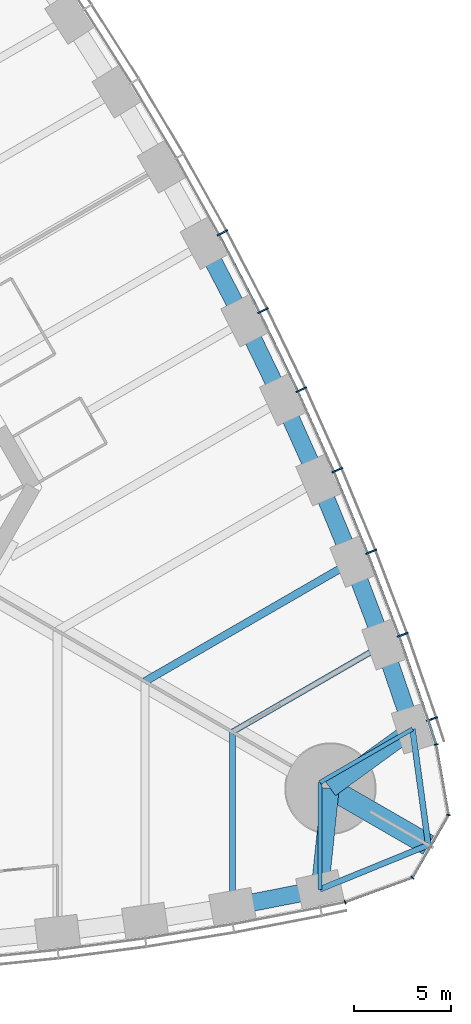
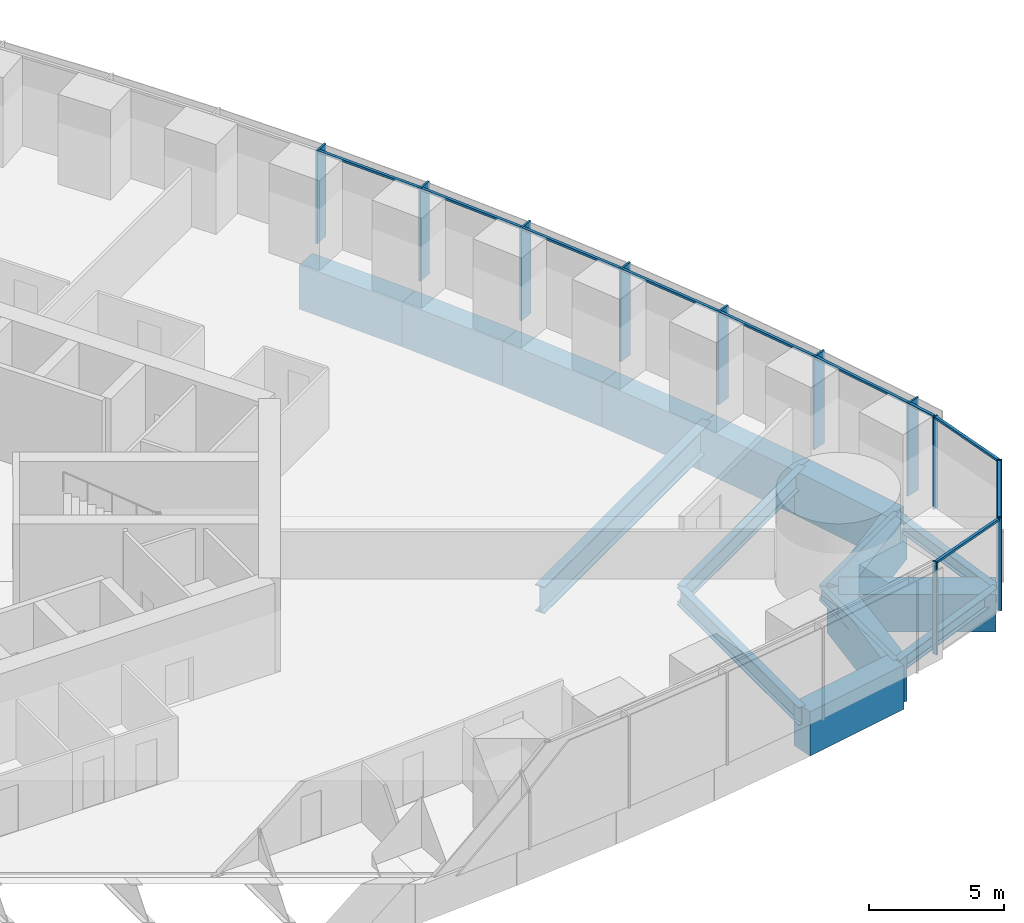
# One storey, part 6 of 18: 21 members, 17 beams, 2 elements without a shape of their own.
"""IFC4 building model written with IfcOpenShell, lengths in metres."""

from ifc_helpers import new_model, si_unit, direction, frame, origin, origin_2d, place, context, subcontext, project, spatial, rectangle, i_section, extrude, material, material_profile, profile_set, type_object, element, aggregate, save


model = new_model("IFC4")

# Units and contexts
model_context = context("Model", 3, precision=1e-05, world=origin(), true_north=direction((0.0, 1.0)))
body_context = subcontext(model_context, "Body", "Model", "MODEL_VIEW")
ifc_project = project(units=[si_unit("LENGTHUNIT", "METRE"), si_unit("AREAUNIT", "SQUARE_METRE"), si_unit("VOLUMEUNIT", "CUBIC_METRE"), si_unit("PLANEANGLEUNIT", "RADIAN"), si_unit("MASSUNIT", "GRAM", prefix="KILO")], contexts=[model_context])

# Site, building, storey
site_placement = place(None, origin())
site = spatial("IfcSite", under=ifc_project, at=site_placement, CompositionType="ELEMENT")
building_placement = place(site_placement, origin())
building = spatial("IfcBuilding", under=site, at=building_placement, Name="Trefoil Bronze Tower", CompositionType="ELEMENT")
storey_placement = place(building_placement, frame((0.0, 0.0, 71.10009765625)))
storey = spatial("IfcBuildingStorey", under=building, at=storey_placement, Name="L16", CompositionType="ELEMENT", Elevation=71.10009765625)

# Curtain wall, members
ifc_material_1 = material(Name="Tinted solar-control glass", Category="glass")
curtain_wall_type_1 = type_object("IfcCurtainWallType", Name="Bronze office curtain wall", PredefinedType="USERDEFINED", material=ifc_material_1)
curtain_wall_1_placement = place(storey_placement, origin())
curtain_wall_1 = element("IfcCurtainWall", 1, at=curtain_wall_1_placement, inside=storey, type_object=curtain_wall_type_1, Name="CW-A L16 F2", ObjectType="CURTAIN WALL", PredefinedType="USERDEFINED")
ifc_material_2 = material(Name="Bronze-finish aluminium", Category="aluminium")
ifc_material_profile_1 = material_profile(ifc_material_2, rectangle(XDim=0.60009765625, YDim=0.080078125, at=origin_2d()), Name="CW-A mullion")
ifc_profile_set_1 = profile_set([ifc_material_profile_1], Name="Bronze-finish aluminium")
member_type_1 = type_object("IfcMemberType", Name="Bronze office curtain wall mullion", PredefinedType="MULLION", material=ifc_profile_set_1)
member_1_placement = place(storey_placement, frame((37.265869140625, -14.92626953125, 0.0), z_axis=(0.0, 0.0, 1.0), x_axis=(-0.947850592929, -0.318715003543, 0.0)))
member_1 = element("IfcMember", 2, at=member_1_placement, type_object=member_type_1, Name="CW-A L16 F2 mullion 2", PredefinedType="MULLION", context=body_context, shape_type="SweptSolid", body=[
    extrude(rectangle(XDim=0.60009765625, YDim=0.080078125, at=origin_2d()), origin(), (0.0, 0.0, 1.0), 4.179931640625),
])
member_2_placement = place(storey_placement, frame((35.761962890625, -10.590087890625, 0.0), z_axis=(0.0, 0.0, 1.0), x_axis=(-0.939860248316, -0.341559238839, 0.0)))
member_2 = element("IfcMember", 3, at=member_2_placement, type_object=member_type_1, Name="CW-A L16 F2 mullion 3", PredefinedType="MULLION", context=body_context, shape_type="SweptSolid", body=[
    extrude(rectangle(XDim=0.60009765625, YDim=0.080078125, at=origin_2d()), origin(), (0.0, 0.0, 1.0), 4.179931640625),
])
member_3_placement = place(storey_placement, frame((34.138916015625, -6.32080078125, 0.0), z_axis=(0.0, 0.0, 1.0), x_axis=(-0.929413605838, -0.369039766534, 0.0)))
member_3 = element("IfcMember", 4, at=member_3_placement, type_object=member_type_1, Name="CW-A L16 F2 mullion 4", PredefinedType="MULLION", context=body_context, shape_type="SweptSolid", body=[
    extrude(rectangle(XDim=0.60009765625, YDim=0.080078125, at=origin_2d()), origin(), (0.0, 0.0, 1.0), 4.179931640625),
])
member_4_placement = place(storey_placement, frame((32.39892578125, -2.119384765625, 0.0), z_axis=(0.0, 0.0, 1.0), x_axis=(-0.918213748442, -0.396085233469, 0.0)))
member_4 = element("IfcMember", 5, at=member_4_placement, type_object=member_type_1, Name="CW-A L16 F2 mullion 5", PredefinedType="MULLION", context=body_context, shape_type="SweptSolid", body=[
    extrude(rectangle(XDim=0.60009765625, YDim=0.080078125, at=origin_2d()), origin(), (0.0, 0.0, 1.0), 4.179931640625),
])
member_5_placement = place(storey_placement, frame((30.543212890625, 2.015380859375, 0.0), z_axis=(0.0, 0.0, 1.0), x_axis=(-0.906269346572, -0.422700687798, 0.0)))
member_5 = element("IfcMember", 6, at=member_5_placement, type_object=member_type_1, Name="CW-A L16 F2 mullion 6", PredefinedType="MULLION", context=body_context, shape_type="SweptSolid", body=[
    extrude(rectangle(XDim=0.60009765625, YDim=0.080078125, at=origin_2d()), origin(), (0.0, 0.0, 1.0), 4.179931640625),
])
member_6_placement = place(storey_placement, frame((28.57275390625, 6.084228515625, 0.0), z_axis=(0.0, 0.0, 1.0), x_axis=(-0.893587025891, -0.448889994497, 0.0)))
member_6 = element("IfcMember", 7, at=member_6_placement, type_object=member_type_1, Name="CW-A L16 F2 mullion 7", PredefinedType="MULLION", context=body_context, shape_type="SweptSolid", body=[
    extrude(rectangle(XDim=0.60009765625, YDim=0.080078125, at=origin_2d()), origin(), (0.0, 0.0, 1.0), 4.179931640625),
])
member_7_placement = place(storey_placement, frame((26.488525390625, 10.0869140625, 0.0), z_axis=(0.0, 0.0, 1.0), x_axis=(-0.880171454588, -0.474655886437, 0.0)))
member_7 = element("IfcMember", 8, at=member_7_placement, type_object=member_type_1, Name="CW-A L16 F2 mullion 8", PredefinedType="MULLION", context=body_context, shape_type="SweptSolid", body=[
    extrude(rectangle(XDim=0.60009765625, YDim=0.080078125, at=origin_2d()), origin(), (0.0, 0.0, 1.0), 4.179931640625),
])
ifc_material_3 = material(Name="Bronze-finish aluminium", Category="aluminium")
ifc_material_profile_2 = material_profile(ifc_material_3, rectangle(XDim=0.1201171875, YDim=0.10009765625, at=origin_2d()), Name="CW-A transom")
ifc_profile_set_2 = profile_set([ifc_material_profile_2], Name="Bronze-finish aluminium")
member_type_2 = type_object("IfcMemberType", Name="Bronze office curtain wall transom", PredefinedType="USERDEFINED", material=ifc_profile_set_2)
member_8_placement = place(storey_placement, frame((37.4638671875, -16.1796875, 4.1298828125), z_axis=(-0.309624219148, 0.950859002648, 0.0), x_axis=(-0.950859002648, -0.309624219148, 0.0)))
member_8 = element("IfcMember", 9, at=member_8_placement, type_object=member_type_2, Name="CW-A L16 F2 transom 1", ObjectType="TRANSOM", PredefinedType="USERDEFINED", context=body_context, shape_type="SweptSolid", body=[
    extrude(rectangle(XDim=0.1201171875, YDim=0.10009765625, at=origin_2d()), origin(), (0.0, 0.0, 1.0), 1.21044921875),
])
member_9_placement = place(storey_placement, frame((37.06298828125, -14.951171875, 4.1298828125), z_axis=(-0.327689728493, 0.944785394595, 0.0), x_axis=(-0.944785394595, -0.327689728493, 0.0)))
member_9 = element("IfcMember", 10, at=member_9_placement, type_object=member_type_2, Name="CW-A L16 F2 transom 2", ObjectType="TRANSOM", PredefinedType="USERDEFINED", context=body_context, shape_type="SweptSolid", body=[
    extrude(rectangle(XDim=0.1201171875, YDim=0.10009765625, at=origin_2d()), origin(), (0.0, 0.0, 1.0), 4.502197265625),
])
member_10_placement = place(storey_placement, frame((35.559326171875, -10.61962890625, 4.1298828125), z_axis=(-0.355367327392, 0.934726731522, 0.0), x_axis=(-0.934726731522, -0.355367327392, 0.0)))
member_10 = element("IfcMember", 11, at=member_10_placement, type_object=member_type_2, Name="CW-A L16 F2 transom 3", ObjectType="TRANSOM", PredefinedType="USERDEFINED", context=body_context, shape_type="SweptSolid", body=[
    extrude(rectangle(XDim=0.1201171875, YDim=0.10009765625, at=origin_2d()), origin(), (0.0, 0.0, 1.0), 4.478515625),
])
member_11_placement = place(storey_placement, frame((33.937255859375, -6.3564453125, 4.1298828125), z_axis=(-0.382616149417, 0.923907399151, 0.0), x_axis=(-0.923907399151, -0.382616149417, 0.0)))
member_11 = element("IfcMember", 12, at=member_11_placement, type_object=member_type_2, Name="CW-A L16 F2 transom 4", ObjectType="TRANSOM", PredefinedType="USERDEFINED", context=body_context, shape_type="SweptSolid", body=[
    extrude(rectangle(XDim=0.1201171875, YDim=0.10009765625, at=origin_2d()), origin(), (0.0, 0.0, 1.0), 4.458984375),
])
member_12_placement = place(storey_placement, frame((32.1982421875, -2.16064453125, 4.1298828125), z_axis=(-0.409459746452, 0.912328184392, 0.0), x_axis=(-0.912328184392, -0.409459746452, 0.0)))
member_12 = element("IfcMember", 13, at=member_12_placement, type_object=member_type_2, Name="CW-A L16 F2 transom 5", ObjectType="TRANSOM", PredefinedType="USERDEFINED", context=body_context, shape_type="SweptSolid", body=[
    extrude(rectangle(XDim=0.1201171875, YDim=0.10009765625, at=origin_2d()), origin(), (0.0, 0.0, 1.0), 4.443359375),
])
member_13_placement = place(storey_placement, frame((30.34375, 1.96826171875, 4.1298828125), z_axis=(-0.435851763293, 0.900018466719, 0.0), x_axis=(-0.900018466719, -0.435851763293, 0.0)))
member_13 = element("IfcMember", 14, at=member_13_placement, type_object=member_type_2, Name="CW-A L16 F2 transom 6", ObjectType="TRANSOM", PredefinedType="USERDEFINED", context=body_context, shape_type="SweptSolid", body=[
    extrude(rectangle(XDim=0.1201171875, YDim=0.10009765625, at=origin_2d()), origin(), (0.0, 0.0, 1.0), 4.431884765625),
])
member_14_placement = place(storey_placement, frame((28.375, 6.031005859375, 4.1298828125), z_axis=(-0.461809621225, 0.886979071762, 0.0), x_axis=(-0.886979071762, -0.461809621225, 0.0)))
member_14 = element("IfcMember", 15, at=member_14_placement, type_object=member_type_2, Name="CW-A L16 F2 transom 7", ObjectType="TRANSOM", PredefinedType="USERDEFINED", context=body_context, shape_type="SweptSolid", body=[
    extrude(rectangle(XDim=0.1201171875, YDim=0.10009765625, at=origin_2d()), origin(), (0.0, 0.0, 1.0), 4.42431640625),
])
aggregate(curtain_wall_1, [member_1, member_2, member_3, member_4, member_5, member_6, member_7, member_8, member_9, member_10, member_11, member_12, member_13, member_14])

ifc_material_4 = material(Name="Tinted solar-control glass", Category="glass")
curtain_wall_type_2 = type_object("IfcCurtainWallType", Name="Bronze rounded corner curtain wall", PredefinedType="USERDEFINED", material=ifc_material_4)
curtain_wall_2_placement = place(storey_placement, origin())
curtain_wall_2 = element("IfcCurtainWall", 16, at=curtain_wall_2_placement, inside=storey, type_object=curtain_wall_type_2, Name="CW-B L16 K1", ObjectType="CURTAIN WALL", PredefinedType="USERDEFINED")
ifc_material_5 = material(Name="Bronze-finish aluminium", Category="aluminium")
ifc_material_profile_3 = material_profile(ifc_material_5, rectangle(XDim=0.199951171875, YDim=0.06005859375, at=origin_2d()), Name="CW-B mullion")
ifc_profile_set_3 = profile_set([ifc_material_profile_3], Name="Bronze-finish aluminium")
member_type_3 = type_object("IfcMemberType", Name="Bronze rounded corner curtain wall mullion", PredefinedType="MULLION", material=ifc_profile_set_3)
member_15_placement = place(storey_placement, frame((32.796630859375, -24.3427734375, 0.0), z_axis=(0.0, 0.0, 1.0), x_axis=(-0.342020143326, 0.939692620786, 0.0)))
member_15 = element("IfcMember", 17, at=member_15_placement, type_object=member_type_3, Name="CW-B L16 K1 mullion 1", PredefinedType="MULLION", context=body_context, shape_type="SweptSolid", body=[
    extrude(rectangle(XDim=0.199951171875, YDim=0.06005859375, at=origin_2d()), origin(), (0.0, 0.0, 1.0), 4.179931640625),
])
member_16_placement = place(storey_placement, frame((36.2548828125, -23.07763671875, 0.0), z_axis=(0.0, 0.0, 1.0), x_axis=(-0.642787609687, 0.766044443119, 0.0)))
member_16 = element("IfcMember", 18, at=member_16_placement, type_object=member_type_3, Name="CW-B L16 K1 mullion 2", PredefinedType="MULLION", context=body_context, shape_type="SweptSolid", body=[
    extrude(rectangle(XDim=0.199951171875, YDim=0.06005859375, at=origin_2d()), origin(), (0.0, 0.0, 1.0), 4.179931640625),
])
member_17_placement = place(storey_placement, frame((38.11328125, -19.85888671875, 0.0), z_axis=(0.0, 0.0, 1.0), x_axis=(-0.984807753012, 0.173648177667, 0.0)))
member_17 = element("IfcMember", 19, at=member_17_placement, type_object=member_type_3, Name="CW-B L16 K1 mullion 3", PredefinedType="MULLION", context=body_context, shape_type="SweptSolid", body=[
    extrude(rectangle(XDim=0.199951171875, YDim=0.06005859375, at=origin_2d()), origin(), (0.0, 0.0, 1.0), 4.179931640625),
])
member_18_placement = place(storey_placement, frame((37.479736328125, -16.2314453125, 0.0), z_axis=(0.0, 0.0, 1.0), x_axis=(-0.984807753012, -0.173648177667, 0.0)))
member_18 = element("IfcMember", 20, at=member_18_placement, type_object=member_type_3, Name="CW-B L16 K1 mullion 4", PredefinedType="MULLION", context=body_context, shape_type="SweptSolid", body=[
    extrude(rectangle(XDim=0.199951171875, YDim=0.06005859375, at=origin_2d()), origin(), (0.0, 0.0, 1.0), 4.179931640625),
])
ifc_material_6 = material(Name="Bronze-finish aluminium", Category="aluminium")
ifc_material_profile_4 = material_profile(ifc_material_6, rectangle(XDim=0.1201171875, YDim=0.10009765625, at=origin_2d()), Name="CW-B transom")
ifc_profile_set_4 = profile_set([ifc_material_profile_4], Name="Bronze-finish aluminium")
member_type_4 = type_object("IfcMemberType", Name="Bronze rounded corner curtain wall transom", PredefinedType="USERDEFINED", material=ifc_profile_set_4)
member_19_placement = place(storey_placement, frame((32.82470703125, -24.33251953125, 4.1298828125), z_axis=(0.939688092095, 0.342032585545, 0.0), x_axis=(-0.342032585545, 0.939688092095, 0.0)))
member_19 = element("IfcMember", 21, at=member_19_placement, type_object=member_type_4, Name="CW-B L16 K1 transom 1", ObjectType="TRANSOM", PredefinedType="USERDEFINED", context=body_context, shape_type="SweptSolid", body=[
    extrude(rectangle(XDim=0.1201171875, YDim=0.10009765625, at=origin_2d()), origin(), (0.0, 0.0, 1.0), 3.588134765625),
])
member_20_placement = place(storey_placement, frame((36.292236328125, -23.02490234375, 4.1298828125), z_axis=(0.500024788772, 0.866011091507, 0.0), x_axis=(-0.866011091507, 0.500024788772, 0.0)))
member_20 = element("IfcMember", 22, at=member_20_placement, type_object=member_type_4, Name="CW-B L16 K1 transom 2", ObjectType="TRANSOM", PredefinedType="USERDEFINED", context=body_context, shape_type="SweptSolid", body=[
    extrude(rectangle(XDim=0.1201171875, YDim=0.10009765625, at=origin_2d()), origin(), (0.0, 0.0, 1.0), 3.588134765625),
])
member_21_placement = place(storey_placement, frame((38.10791015625, -19.794677734375, 4.1298828125), z_axis=(-0.17363783606, 0.984809576461, 0.0), x_axis=(-0.984809576461, -0.17363783606, 0.0)))
member_21 = element("IfcMember", 23, at=member_21_placement, type_object=member_type_4, Name="CW-B L16 K1 transom 3", ObjectType="TRANSOM", PredefinedType="USERDEFINED", context=body_context, shape_type="SweptSolid", body=[
    extrude(rectangle(XDim=0.1201171875, YDim=0.10009765625, at=origin_2d()), origin(), (0.0, 0.0, 1.0), 3.588134765625),
])
aggregate(curtain_wall_2, [member_15, member_16, member_17, member_18, member_19, member_20, member_21])

# Beams
ifc_material_7 = material(Name="Concrete B80", Category="concrete")
ifc_material_profile_5 = material_profile(ifc_material_7, rectangle(XDim=1.10009765625, YDim=1.699951171875, at=origin_2d()), Name="RC 1100x1700")
ifc_profile_set_5 = profile_set([ifc_material_profile_5], Name="Concrete B80")
beam_type_1 = type_object("IfcBeamType", Name="Corner cantilever RC 1100x1700", PredefinedType="BEAM", material=ifc_profile_set_5)
beam_1_placement = place(storey_placement, frame((32.04296875, -18.5, -1.050048828125), z_axis=(0.866030348588, -0.499991435252, 0.0), x_axis=(0.499991435252, 0.866030348588, 0.0)))
element("IfcBeam", 24, at=beam_1_placement, inside=storey, type_object=beam_type_1, Name="Corner cantilever K1 L16", PredefinedType="BEAM", context=body_context, shape_type="SweptSolid", body=[
    extrude(rectangle(XDim=1.10009765625, YDim=1.699951171875, at=origin_2d()), origin(), (0.0, 0.0, 1.0), 5.81396484375),
])
ifc_material_8 = material(Name="Steel C355", Category="steel")
ifc_material_profile_6 = material_profile(ifc_material_8, i_section(OverallWidth=0.300048828125, OverallDepth=0.60009765625, WebThickness=0.015380859375, FlangeThickness=0.030029296875, FilletRadius=0.027099609375, at=origin_2d()), Name="HEB 600")
ifc_profile_set_6 = profile_set([ifc_material_profile_6], Name="Steel C355")
beam_type_2 = type_object("IfcBeamType", Name="Corner edge beam HEB 600", PredefinedType="BEAM", material=ifc_profile_set_6)
beam_2_placement = place(storey_placement, frame((31.5, -23.684814453125, -0.5), z_axis=(0.925786874353, 0.378045848114, 0.0), x_axis=(-0.378045848114, 0.925786874353, 0.0)))
element("IfcBeam", 25, at=beam_2_placement, inside=storey, type_object=beam_type_2, Name="Corner edge beam F1A L16", PredefinedType="BEAM", context=body_context, shape_type="SweptSolid", body=[
    extrude(i_section(OverallWidth=0.300048828125, OverallDepth=0.60009765625, WebThickness=0.015380859375, FlangeThickness=0.030029296875, FilletRadius=0.027099609375, at=origin_2d()), origin(), (0.0, 0.0, 1.0), 6.025390625),
])
beam_3_placement = place(storey_placement, frame((36.26171875, -15.4375, -0.5), z_axis=(0.13550196505, -0.990777077585, 0.0), x_axis=(0.990777077585, 0.13550196505, 0.0)))
element("IfcBeam", 26, at=beam_3_placement, inside=storey, type_object=beam_type_2, Name="Corner edge beam F2B L16", PredefinedType="BEAM", context=body_context, shape_type="SweptSolid", body=[
    extrude(i_section(OverallWidth=0.300048828125, OverallDepth=0.60009765625, WebThickness=0.015380859375, FlangeThickness=0.030029296875, FilletRadius=0.027099609375, at=origin_2d()), origin(), (0.0, 0.0, 1.0), 6.025146484375),
])
ifc_material_9 = material(Name="Concrete B80", Category="concrete")
ifc_material_profile_7 = material_profile(ifc_material_9, rectangle(XDim=0.89990234375, YDim=2.0, at=origin_2d()), Name="RC 900x2000")
ifc_profile_set_7 = profile_set([ifc_material_profile_7], Name="Concrete B80")
beam_type_3 = type_object("IfcBeamType", Name="End spandrel beam RC 900x2000", PredefinedType="SPANDREL", material=ifc_profile_set_7)
for number, where, z_axis, x_axis, name in (
    (27, (31.5, -23.684814453125, -1.2001953125), (0.104153327908, 0.994561252154, 0.0), (-0.994561252154, 0.104153327908, 0.0), "Spandrel F1.16 L16"),
    (28, (32.04296875, -18.5, -1.2001953125), (0.809254211267, 0.587458612624, 0.0), (-0.587458612624, 0.809254211267, 0.0), "Spandrel F2.1 L16"),
):
    element("IfcBeam", number, at=place(storey_placement, frame(where, z_axis=z_axis, x_axis=x_axis)), inside=storey, type_object=beam_type_3, Name=name, PredefinedType="SPANDREL", context=body_context, shape_type="SweptSolid", body=[
        extrude(rectangle(XDim=0.89990234375, YDim=2.0, at=origin_2d()), origin(), (0.0, 0.0, 1.0), 5.213134765625),
    ])
ifc_material_10 = material(Name="Steel C355", Category="steel")
ifc_material_profile_8 = material_profile(ifc_material_10, i_section(OverallWidth=0.300048828125, OverallDepth=0.800048828125, WebThickness=0.017578125, FlangeThickness=0.032958984375, FilletRadius=0.030029296875, at=origin_2d()), Name="HEB 800")
ifc_profile_set_8 = profile_set([ifc_material_profile_8], Name="Steel C355")
beam_type_4 = type_object("IfcBeamType", Name="Floor beam HEB 800", PredefinedType="BEAM", material=ifc_profile_set_8)
for number, where, z_axis, x_axis, name in (
    (29, (27.0, -24.56787109375, -0.60009765625), (0.0, 1.0, 0.0), (-1.0, 0.0, 0.0), "Floor beam F1/+6 L16"),
    (30, (34.7763671875, -11.0986328125, -0.60009765625), (-0.866022587327, -0.500004878216, 0.0), (0.500004878216, -0.866022587327, 0.0), "Floor beam F2/-6 L16"),
):
    element("IfcBeam", number, at=place(storey_placement, frame(where, z_axis=z_axis, x_axis=x_axis)), inside=storey, type_object=beam_type_4, Name=name, PredefinedType="BEAM", context=body_context, shape_type="SweptSolid", body=[
        extrude(i_section(OverallWidth=0.300048828125, OverallDepth=0.800048828125, WebThickness=0.017578125, FlangeThickness=0.032958984375, FilletRadius=0.030029296875, at=origin_2d()), origin(), (0.0, 0.0, 1.0), 8.9794921875),
    ])
ifc_material_11 = material(Name="Steel C355", Category="steel")
ifc_material_profile_9 = material_profile(ifc_material_11, i_section(OverallWidth=0.219970703125, OverallDepth=0.60009765625, WebThickness=0.011962890625, FlangeThickness=0.01904296875, FilletRadius=0.02392578125, at=origin_2d()), Name="IPE 600")
ifc_profile_set_9 = profile_set([ifc_material_profile_9], Name="Steel C355")
beam_type_5 = type_object("IfcBeamType", Name="Floor beam IPE 600", PredefinedType="BEAM", material=ifc_profile_set_9)
for number, where, z_axis, x_axis, name in (
    (31, (31.5, -23.684814453125, -0.5), (0.0, 1.0, 0.0), (-1.0, 0.0, 0.0), "Floor beam F1/+7 L16"),
    (32, (36.26171875, -15.4375, -0.5), (-0.866037702141, -0.499978698016, 0.0), (0.499978698016, -0.866037702141, 0.0), "Floor beam F2/-7 L16"),
):
    element("IfcBeam", number, at=place(storey_placement, frame(where, z_axis=z_axis, x_axis=x_axis)), inside=storey, type_object=beam_type_5, Name=name, PredefinedType="BEAM", context=body_context, shape_type="SweptSolid", body=[
        extrude(i_section(OverallWidth=0.219970703125, OverallDepth=0.60009765625, WebThickness=0.011962890625, FlangeThickness=0.01904296875, FilletRadius=0.02392578125, at=origin_2d()), origin(), (0.0, 0.0, 1.0), 5.498291015625),
    ])
ifc_material_12 = material(Name="Steel C355", Category="steel")
ifc_material_profile_10 = material_profile(ifc_material_12, i_section(OverallWidth=0.39990234375, OverallDepth=1.199951171875, WebThickness=0.02001953125, FlangeThickness=0.0400390625, FilletRadius=0.010009765625, at=origin_2d()), Name="WPG 1200")
ifc_profile_set_10 = profile_set([ifc_material_profile_10], Name="Steel C355")
beam_type_6 = type_object("IfcBeamType", Name="Floor beam WPG 1200", PredefinedType="BEAM", material=ifc_profile_set_10)
beam_4_placement = place(storey_placement, frame((33.159912109375, -6.8359375, -0.800048828125), z_axis=(-0.866024070878, -0.500002308654, 0.0), x_axis=(0.500002308654, -0.866024070878, 0.0)))
element("IfcBeam", 33, at=beam_4_placement, inside=storey, type_object=beam_type_6, Name="Floor beam F2/-5 L16", PredefinedType="BEAM", context=body_context, shape_type="SweptSolid", body=[
    extrude(i_section(OverallWidth=0.39990234375, OverallDepth=1.199951171875, WebThickness=0.02001953125, FlangeThickness=0.0400390625, FilletRadius=0.010009765625, at=origin_2d()), origin(), (0.0, 0.0, 1.0), 12.30908203125),
])
ifc_material_13 = material(Name="Concrete B80", Category="concrete")
ifc_material_profile_11 = material_profile(ifc_material_13, rectangle(XDim=0.89990234375, YDim=2.0, at=origin_2d()), Name="RC 900x2000")
ifc_profile_set_11 = profile_set([ifc_material_profile_11], Name="Concrete B80")
beam_type_7 = type_object("IfcBeamType", Name="Spandrel beam RC 900x2000", PredefinedType="SPANDREL", material=ifc_profile_set_11)
beam_5_placement = place(storey_placement, frame((27.0, -24.56787109375, -1.2001953125), z_axis=(0.981284764092, 0.192562228283, 0.0), x_axis=(-0.192562228283, 0.981284764092, 0.0)))
element("IfcBeam", 34, at=beam_5_placement, inside=storey, type_object=beam_type_7, Name="Spandrel F1.15 L16", PredefinedType="SPANDREL", context=body_context, shape_type="SweptSolid", body=[
    extrude(rectangle(XDim=0.89990234375, YDim=2.0, at=origin_2d()), origin(), (0.0, 0.0, 1.0), 4.5859375),
])
beam_6_placement = place(storey_placement, frame((36.26171875, -15.4375, -1.2001953125), z_axis=(-0.323883319148, 0.946097032855, 0.0), x_axis=(-0.946097032855, -0.323883319148, 0.0)))
element("IfcBeam", 35, at=beam_6_placement, inside=storey, type_object=beam_type_7, Name="Spandrel F2.2 L16", PredefinedType="SPANDREL", context=body_context, shape_type="SweptSolid", body=[
    extrude(rectangle(XDim=0.89990234375, YDim=2.0, at=origin_2d()), origin(), (0.0, 0.0, 1.0), 4.586181640625),
])
beam_7_placement = place(storey_placement, frame((34.7763671875, -11.0986328125, -1.2001953125), z_axis=(-0.354571899767, 0.935028752443, 0.0), x_axis=(-0.935028752443, -0.354571899767, 0.0)))
element("IfcBeam", 36, at=beam_7_placement, inside=storey, type_object=beam_type_7, Name="Spandrel F2.3 L16", PredefinedType="SPANDREL", context=body_context, shape_type="SweptSolid", body=[
    extrude(rectangle(XDim=0.89990234375, YDim=2.0, at=origin_2d()), origin(), (0.0, 0.0, 1.0), 4.558837890625),
])
beam_8_placement = place(storey_placement, frame((33.159912109375, -6.8359375, -1.2001953125), z_axis=(-0.382020825144, 0.924153715113, 0.0), x_axis=(-0.924153715113, -0.382020825144, 0.0)))
element("IfcBeam", 37, at=beam_8_placement, inside=storey, type_object=beam_type_7, Name="Spandrel F2.4 L16", PredefinedType="SPANDREL", context=body_context, shape_type="SweptSolid", body=[
    extrude(rectangle(XDim=0.89990234375, YDim=2.0, at=origin_2d()), origin(), (0.0, 0.0, 1.0), 4.539306640625),
])
beam_9_placement = place(storey_placement, frame((31.42578125, -2.640869140625, -1.2001953125), z_axis=(-0.408945873044, 0.912558640812, 0.0), x_axis=(-0.912558640812, -0.408945873044, 0.0)))
element("IfcBeam", 38, at=beam_9_placement, inside=storey, type_object=beam_type_7, Name="Spandrel F2.5 L16", PredefinedType="SPANDREL", context=body_context, shape_type="SweptSolid", body=[
    extrude(rectangle(XDim=0.89990234375, YDim=2.0, at=origin_2d()), origin(), (0.0, 0.0, 1.0), 4.5234375),
])
beam_10_placement = place(storey_placement, frame((29.575927734375, 1.487060546875, -1.2001953125), z_axis=(-0.435510013583, 0.900183885697, 0.0), x_axis=(-0.900183885697, -0.435510013583, 0.0)))
element("IfcBeam", 39, at=beam_10_placement, inside=storey, type_object=beam_type_7, Name="Spandrel F2.6 L16", PredefinedType="SPANDREL", context=body_context, shape_type="SweptSolid", body=[
    extrude(rectangle(XDim=0.89990234375, YDim=2.0, at=origin_2d()), origin(), (0.0, 0.0, 1.0), 4.51220703125),
])
beam_11_placement = place(storey_placement, frame((27.61083984375, 5.548828125, -1.2001953125), z_axis=(-0.461637716615, 0.887068553495, 0.0), x_axis=(-0.887068553495, -0.461637716615, 0.0)))
element("IfcBeam", 40, at=beam_11_placement, inside=storey, type_object=beam_type_7, Name="Spandrel F2.7 L16", PredefinedType="SPANDREL", context=body_context, shape_type="SweptSolid", body=[
    extrude(rectangle(XDim=0.89990234375, YDim=2.0, at=origin_2d()), origin(), (0.0, 0.0, 1.0), 4.50439453125),
])

save(model, "model.ifc")
